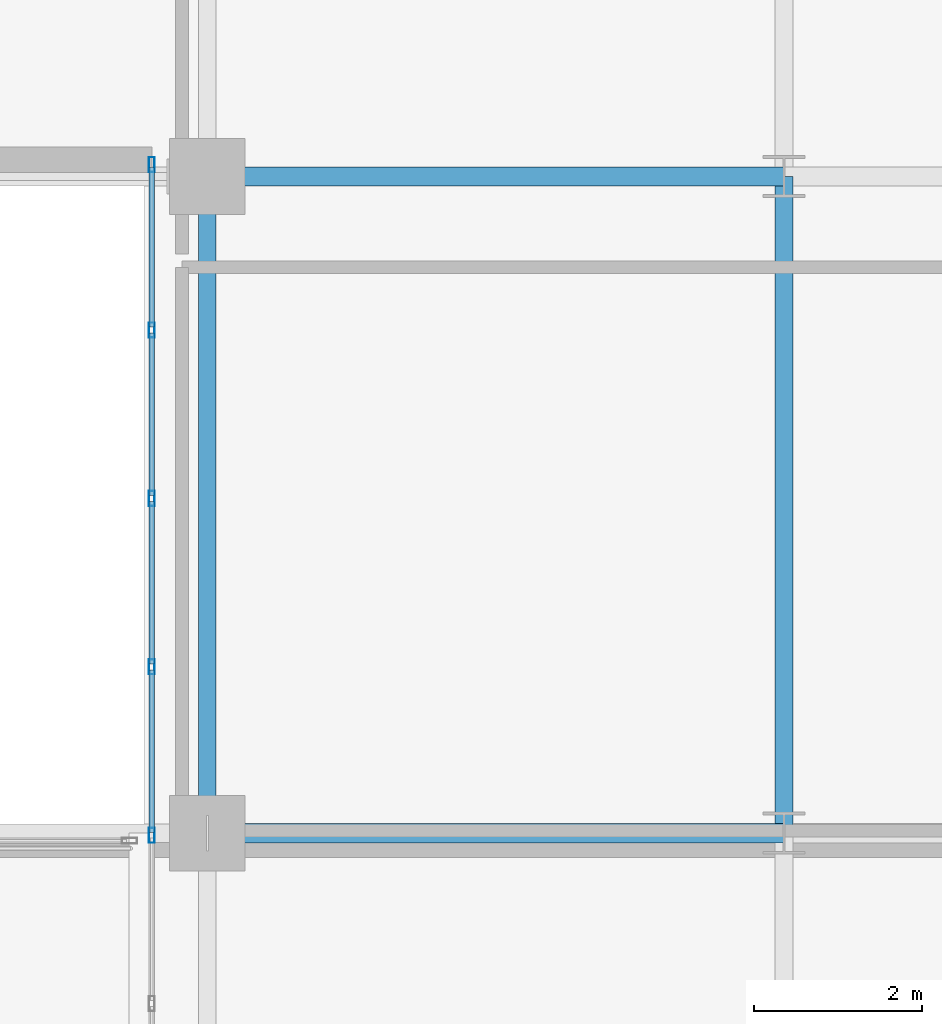
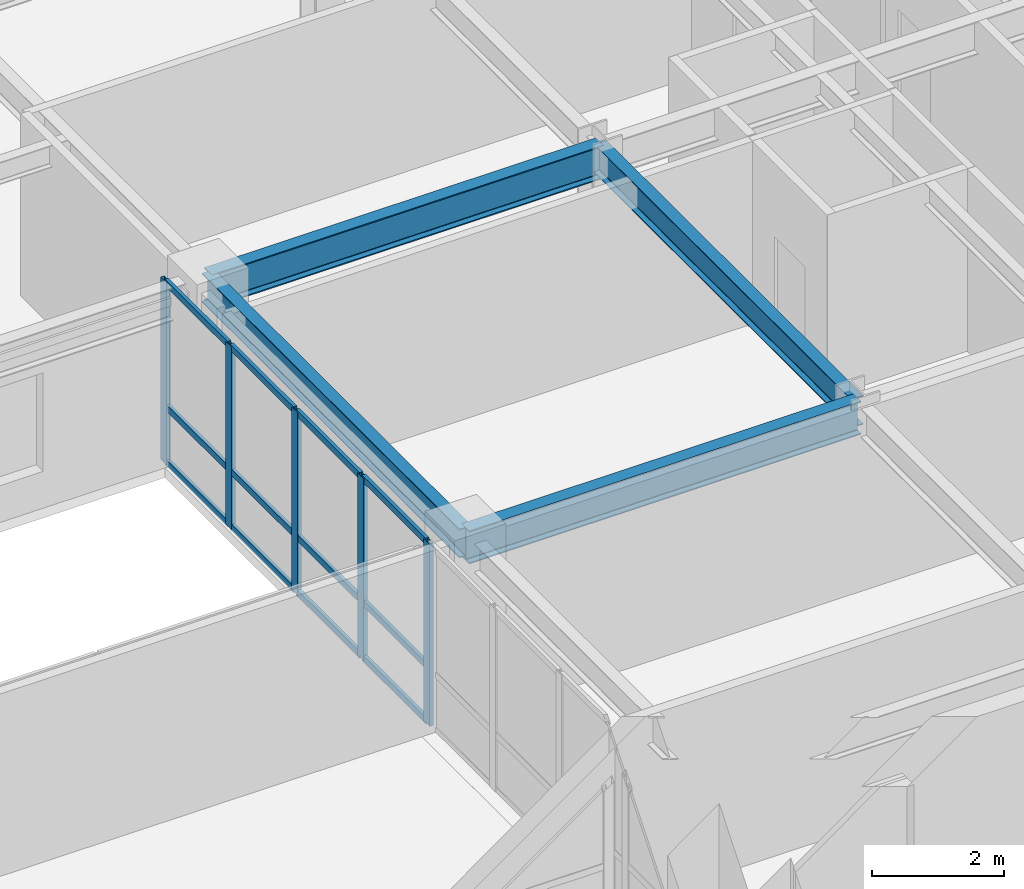
# One storey, part 7 of 25: 17 members, 4 beams, 1 element without a shape of its own.
"""IFC4 building model written with IfcOpenShell, lengths in metres."""

from ifc_helpers import new_model, si_unit, direction, frame, origin, origin_2d, place, context, subcontext, project, spatial, hollow_rectangle, i_section, extrude, source, transform, mapped, material, layer, layer_set, material_profile, profile_set, type_object, type_shapes, element, aggregate, save


model = new_model("IFC4")

# Units and contexts
model_context = context("Model", 3, precision=1e-05, world=origin(), true_north=direction((0.0, 1.0)))
body_context = subcontext(model_context, "Body", "Model", "MODEL_VIEW")
ifc_project = project(units=[si_unit("LENGTHUNIT", "METRE"), si_unit("AREAUNIT", "SQUARE_METRE"), si_unit("VOLUMEUNIT", "CUBIC_METRE"), si_unit("PLANEANGLEUNIT", "RADIAN"), si_unit("MASSUNIT", "GRAM", prefix="KILO")], contexts=[model_context])

# Site, building, storey
site_placement = place(None, origin())
site = spatial("IfcSite", under=ifc_project, at=site_placement, CompositionType="ELEMENT")
building_placement = place(site_placement, origin())
building = spatial("IfcBuilding", under=site, at=building_placement, Name="Tolvann Quenvar Hotel", CompositionType="ELEMENT")
storey_placement = place(building_placement, frame((0.0, 0.0, 78.14990234375)))
storey = spatial("IfcBuildingStorey", under=building, at=storey_placement, Name="L19", CompositionType="ELEMENT", Elevation=78.14990234375)

# Beams
ifc_material_1 = material(Name="Steel Grade 350", Category="steel")
ifc_material_profile_1 = material_profile(ifc_material_1, i_section(OverallWidth=0.22900390625, OverallDepth=0.612060546875, WebThickness=0.011962890625, FlangeThickness=0.01953125, FilletRadius=0.013916015625, at=origin_2d()), Name="610UB125")
ifc_profile_set_1 = profile_set([ifc_material_profile_1], Name="Steel Grade 350")
beam_type_1 = type_object("IfcBeamType", Name="BM_GIRD_610UB125", PredefinedType="BEAM", material=ifc_profile_set_1)
shared_shape_1 = source(origin(), body_context, "Body", "SweptSolid", [
    extrude(i_section(OverallWidth=0.22900390625, OverallDepth=0.612060546875, WebThickness=0.011962890625, FlangeThickness=0.01953125, FilletRadius=0.013916015625, at=origin_2d()), origin(), (0.0, 0.0, 1.0), 6.85009765625),
])
type_shapes(beam_type_1, [shared_shape_1])
for number, where, z_axis, x_axis, name in (
    (1, (34.949951171875, 8.199951171875, 3.064208984375), (1.0, 0.0, 0.0), (0.0, 1.0, 0.0), "BM-L19-EW-3-F3-H3"),
    (2, (34.949951171875, 16.0, 3.064208984375), (1.0, 0.0, 0.0), (0.0, 1.0, 0.0), "BM-L19-EW-4-F4-H4"),
):
    element("IfcBeam", number, at=place(storey_placement, frame(where, z_axis=z_axis, x_axis=x_axis)), inside=storey, type_object=beam_type_1, Name=name, PredefinedType="BEAM", context=body_context, shape_type="MappedRepresentation", body=[
        mapped(shared_shape_1, transform((0.0, 0.0, 0.0), x_axis=(1.0, 0.0, 0.0), y_axis=(0.0, 1.0, 0.0), z_axis=(0.0, 0.0, 1.0), scale=1.0)),
    ])
ifc_material_profile_2 = material_profile(ifc_material_1, i_section(OverallWidth=0.208984375, OverallDepth=0.532958984375, WebThickness=0.01025390625, FlangeThickness=0.015625, FilletRadius=0.013916015625, at=origin_2d()), Name="530UB92")
ifc_profile_set_2 = profile_set([ifc_material_profile_2], Name="Steel Grade 350")
beam_type_2 = type_object("IfcBeamType", Name="BM_GIRD_530UB92", PredefinedType="BEAM", material=ifc_profile_set_2)
shared_shape_2 = source(origin(), body_context, "Body", "SweptSolid", [
    extrude(i_section(OverallWidth=0.208984375, OverallDepth=0.532958984375, WebThickness=0.01025390625, FlangeThickness=0.015625, FilletRadius=0.013916015625, at=origin_2d()), origin(), (0.0, 0.0, 1.0), 7.800048828125),
])
type_shapes(beam_type_2, [shared_shape_2])
for number, where, z_axis, x_axis, name in (
    (3, (34.949951171875, 8.199951171875, 3.103515625), (0.0, 1.0, 0.0), (-1.0, 0.0, 0.0), "BM-L19-NS-F3-F4"),
    (4, (41.800048828125, 8.199951171875, 3.103515625), (0.0, 1.0, 0.0), (-1.0, 0.0, 0.0), "BM-L19-NS-H3-H4"),
):
    element("IfcBeam", number, at=place(storey_placement, frame(where, z_axis=z_axis, x_axis=x_axis)), inside=storey, type_object=beam_type_2, Name=name, PredefinedType="BEAM", context=body_context, shape_type="MappedRepresentation", body=[
        mapped(shared_shape_2, transform((0.0, 0.0, 0.0), x_axis=(1.0, 0.0, 0.0), y_axis=(0.0, 1.0, 0.0), z_axis=(0.0, 0.0, 1.0), scale=1.0)),
    ])

# Curtain wall, members
ifc_material_2 = material(Name="Thermally broken anodised architectural aluminium 6063-T6 and laminated low-E glass", Category="aluminium")
ifc_layer = layer(ifc_material_2, 0.179931640625)
ifc_layer_set = layer_set([ifc_layer], Name="Thermally broken anodised architectural aluminium 6063-T6 and laminated low-E glass")
curtain_wall_type = type_object("IfcCurtainWallType", Name="CW_SYS_SLOT_03", PredefinedType="USERDEFINED", material=ifc_layer_set)
curtain_wall_placement = place(storey_placement, origin())
curtain_wall = element("IfcCurtainWall", 5, at=curtain_wall_placement, inside=storey, type_object=curtain_wall_type, Name="Curtain Wall CW-SLOT-03 (CWR-L19-E07)", ObjectType="UNITISED CURTAIN WALL", PredefinedType="USERDEFINED")
ifc_material_3 = material(Name="Anodised architectural aluminium 6063-T6 framing", Category="aluminium")
ifc_material_profile_3 = material_profile(ifc_material_3, hollow_rectangle(XDim=0.070068359375, YDim=0.179931640625, WallThickness=0.00390625, at=origin_2d()), Name="180x70x4RHS")
ifc_profile_set_3 = profile_set([ifc_material_profile_3], Name="Anodised architectural aluminium 6063-T6 framing")
member_type_1 = type_object("IfcMemberType", Name="CW_MULL_180x70", PredefinedType="MULLION", material=ifc_profile_set_3)
shared_shape_3 = source(origin(), body_context, "Body", "SweptSolid", [
    extrude(hollow_rectangle(XDim=0.070068359375, YDim=0.179931640625, WallThickness=0.00390625, at=origin_2d()), origin(), (0.0, 0.0, 1.0), 3.3701171875),
])
type_shapes(member_type_1, [shared_shape_3])
member_1_placement = place(storey_placement, frame((34.2900390625, 16.139892578125, 0.0), z_axis=(0.0, 0.0, 1.0), x_axis=(1.0, 0.0, 0.0)))
member_1 = element("IfcMember", 6, at=member_1_placement, type_object=member_type_1, Name="CW-SLOT-03 mullion 1", PredefinedType="MULLION", context=body_context, shape_type="MappedRepresentation", body=[
    mapped(shared_shape_3, transform((0.0, 0.0, 0.0), x_axis=(1.0, 0.0, 0.0), y_axis=(0.0, 1.0, 0.0), z_axis=(0.0, 0.0, 1.0), scale=1.0)),
])
member_2_placement = place(storey_placement, frame((34.2900390625, 14.175048828125, 0.0), z_axis=(0.0, 0.0, 1.0), x_axis=(1.0, 0.0, 0.0)))
member_2 = element("IfcMember", 7, at=member_2_placement, type_object=member_type_1, Name="CW-SLOT-03 mullion 2", PredefinedType="MULLION", context=body_context, shape_type="MappedRepresentation", body=[
    mapped(shared_shape_3, transform((0.0, 0.0, 0.0), x_axis=(1.0, 0.0, 0.0), y_axis=(0.0, 1.0, 0.0), z_axis=(0.0, 0.0, 1.0), scale=1.0)),
])
member_3_placement = place(storey_placement, frame((34.2900390625, 12.175048828125, 0.0), z_axis=(0.0, 0.0, 1.0), x_axis=(1.0, 0.0, 0.0)))
member_3 = element("IfcMember", 8, at=member_3_placement, type_object=member_type_1, Name="CW-SLOT-03 mullion 3", PredefinedType="MULLION", context=body_context, shape_type="MappedRepresentation", body=[
    mapped(shared_shape_3, transform((0.0, 0.0, 0.0), x_axis=(1.0, 0.0, 0.0), y_axis=(0.0, 1.0, 0.0), z_axis=(0.0, 0.0, 1.0), scale=1.0)),
])
member_4_placement = place(storey_placement, frame((34.2900390625, 10.175048828125, 0.0), z_axis=(0.0, 0.0, 1.0), x_axis=(1.0, 0.0, 0.0)))
member_4 = element("IfcMember", 9, at=member_4_placement, type_object=member_type_1, Name="CW-SLOT-03 mullion 4", PredefinedType="MULLION", context=body_context, shape_type="MappedRepresentation", body=[
    mapped(shared_shape_3, transform((0.0, 0.0, 0.0), x_axis=(1.0, 0.0, 0.0), y_axis=(0.0, 1.0, 0.0), z_axis=(0.0, 0.0, 1.0), scale=1.0)),
])
member_5_placement = place(storey_placement, frame((34.2900390625, 8.175048828125, 0.0), z_axis=(0.0, 0.0, 1.0), x_axis=(1.0, 0.0, 0.0)))
member_5 = element("IfcMember", 10, at=member_5_placement, type_object=member_type_1, Name="CW-SLOT-03 mullion 5", PredefinedType="MULLION", context=body_context, shape_type="MappedRepresentation", body=[
    mapped(shared_shape_3, transform((0.0, 0.0, 0.0), x_axis=(1.0, 0.0, 0.0), y_axis=(0.0, 1.0, 0.0), z_axis=(0.0, 0.0, 1.0), scale=1.0)),
])
ifc_material_profile_4 = material_profile(ifc_material_3, hollow_rectangle(XDim=0.06005859375, YDim=0.1201171875, WallThickness=0.00341796875, at=origin_2d()), Name="120x60x3.5RHS")
ifc_profile_set_4 = profile_set([ifc_material_profile_4], Name="Anodised architectural aluminium 6063-T6 framing")
member_type_2 = type_object("IfcMemberType", Name="CW_TRAN_120x60", PredefinedType="USERDEFINED", material=ifc_profile_set_4)
shared_shape_4 = source(origin(), body_context, "Body", "SweptSolid", [
    extrude(hollow_rectangle(XDim=0.06005859375, YDim=0.1201171875, WallThickness=0.00341796875, at=origin_2d()), origin(), (0.0, 0.0, 1.0), 1.929931640625),
])
member_6_placement = place(storey_placement, frame((34.2900390625, 14.139892578125, 0.030029296875), z_axis=(0.0, -1.0, 0.0), x_axis=(1.0, 0.0, 0.0)))
member_6 = element("IfcMember", 11, at=member_6_placement, type_object=member_type_2, Name="CW-SLOT-03 transom 2.1", ObjectType="TRANSOM", PredefinedType="USERDEFINED", context=body_context, shape_type="MappedRepresentation", body=[
    mapped(shared_shape_4, transform((0.0, 0.0, 0.0), x_axis=(1.0, 0.0, 0.0), y_axis=(0.0, 1.0, 0.0), z_axis=(0.0, 0.0, 1.0), scale=1.0)),
])
member_7_placement = place(storey_placement, frame((34.2900390625, 14.139892578125, 1.050048828125), z_axis=(0.0, -1.0, 0.0), x_axis=(1.0, 0.0, 0.0)))
member_7 = element("IfcMember", 12, at=member_7_placement, type_object=member_type_2, Name="CW-SLOT-03 transom 2.2", ObjectType="TRANSOM", PredefinedType="USERDEFINED", context=body_context, shape_type="MappedRepresentation", body=[
    mapped(shared_shape_4, transform((0.0, 0.0, 0.0), x_axis=(1.0, 0.0, 0.0), y_axis=(0.0, 1.0, 0.0), z_axis=(0.0, 0.0, 1.0), scale=1.0)),
])
member_8_placement = place(storey_placement, frame((34.2900390625, 14.139892578125, 3.340087890625), z_axis=(0.0, -1.0, 0.0), x_axis=(1.0, 0.0, 0.0)))
member_8 = element("IfcMember", 13, at=member_8_placement, type_object=member_type_2, Name="CW-SLOT-03 transom 2.3", ObjectType="TRANSOM", PredefinedType="USERDEFINED", context=body_context, shape_type="MappedRepresentation", body=[
    mapped(shared_shape_4, transform((0.0, 0.0, 0.0), x_axis=(1.0, 0.0, 0.0), y_axis=(0.0, 1.0, 0.0), z_axis=(0.0, 0.0, 1.0), scale=1.0)),
])
member_9_placement = place(storey_placement, frame((34.2900390625, 12.139892578125, 0.030029296875), z_axis=(0.0, -1.0, 0.0), x_axis=(1.0, 0.0, 0.0)))
member_9 = element("IfcMember", 14, at=member_9_placement, type_object=member_type_2, Name="CW-SLOT-03 transom 3.1", ObjectType="TRANSOM", PredefinedType="USERDEFINED", context=body_context, shape_type="MappedRepresentation", body=[
    mapped(shared_shape_4, transform((0.0, 0.0, 0.0), x_axis=(1.0, 0.0, 0.0), y_axis=(0.0, 1.0, 0.0), z_axis=(0.0, 0.0, 1.0), scale=1.0)),
])
member_10_placement = place(storey_placement, frame((34.2900390625, 12.139892578125, 1.050048828125), z_axis=(0.0, -1.0, 0.0), x_axis=(1.0, 0.0, 0.0)))
member_10 = element("IfcMember", 15, at=member_10_placement, type_object=member_type_2, Name="CW-SLOT-03 transom 3.2", ObjectType="TRANSOM", PredefinedType="USERDEFINED", context=body_context, shape_type="MappedRepresentation", body=[
    mapped(shared_shape_4, transform((0.0, 0.0, 0.0), x_axis=(1.0, 0.0, 0.0), y_axis=(0.0, 1.0, 0.0), z_axis=(0.0, 0.0, 1.0), scale=1.0)),
])
member_11_placement = place(storey_placement, frame((34.2900390625, 12.139892578125, 3.340087890625), z_axis=(0.0, -1.0, 0.0), x_axis=(1.0, 0.0, 0.0)))
member_11 = element("IfcMember", 16, at=member_11_placement, type_object=member_type_2, Name="CW-SLOT-03 transom 3.3", ObjectType="TRANSOM", PredefinedType="USERDEFINED", context=body_context, shape_type="MappedRepresentation", body=[
    mapped(shared_shape_4, transform((0.0, 0.0, 0.0), x_axis=(1.0, 0.0, 0.0), y_axis=(0.0, 1.0, 0.0), z_axis=(0.0, 0.0, 1.0), scale=1.0)),
])
member_12_placement = place(storey_placement, frame((34.2900390625, 10.139892578125, 0.030029296875), z_axis=(0.0, -1.0, 0.0), x_axis=(1.0, 0.0, 0.0)))
member_12 = element("IfcMember", 17, at=member_12_placement, type_object=member_type_2, Name="CW-SLOT-03 transom 4.1", ObjectType="TRANSOM", PredefinedType="USERDEFINED", context=body_context, shape_type="MappedRepresentation", body=[
    mapped(shared_shape_4, transform((0.0, 0.0, 0.0), x_axis=(1.0, 0.0, 0.0), y_axis=(0.0, 1.0, 0.0), z_axis=(0.0, 0.0, 1.0), scale=1.0)),
])
member_13_placement = place(storey_placement, frame((34.2900390625, 10.139892578125, 1.050048828125), z_axis=(0.0, -1.0, 0.0), x_axis=(1.0, 0.0, 0.0)))
member_13 = element("IfcMember", 18, at=member_13_placement, type_object=member_type_2, Name="CW-SLOT-03 transom 4.2", ObjectType="TRANSOM", PredefinedType="USERDEFINED", context=body_context, shape_type="MappedRepresentation", body=[
    mapped(shared_shape_4, transform((0.0, 0.0, 0.0), x_axis=(1.0, 0.0, 0.0), y_axis=(0.0, 1.0, 0.0), z_axis=(0.0, 0.0, 1.0), scale=1.0)),
])
member_14_placement = place(storey_placement, frame((34.2900390625, 10.139892578125, 3.340087890625), z_axis=(0.0, -1.0, 0.0), x_axis=(1.0, 0.0, 0.0)))
member_14 = element("IfcMember", 19, at=member_14_placement, type_object=member_type_2, Name="CW-SLOT-03 transom 4.3", ObjectType="TRANSOM", PredefinedType="USERDEFINED", context=body_context, shape_type="MappedRepresentation", body=[
    mapped(shared_shape_4, transform((0.0, 0.0, 0.0), x_axis=(1.0, 0.0, 0.0), y_axis=(0.0, 1.0, 0.0), z_axis=(0.0, 0.0, 1.0), scale=1.0)),
])
shared_shape_5 = source(origin(), body_context, "Body", "SweptSolid", [
    extrude(hollow_rectangle(XDim=0.06005859375, YDim=0.1201171875, WallThickness=0.00341796875, at=origin_2d()), origin(), (0.0, 0.0, 1.0), 1.89501953125),
])
type_shapes(member_type_2, [shared_shape_4, shared_shape_5])
member_15_placement = place(storey_placement, frame((34.2900390625, 16.10498046875, 0.030029296875), z_axis=(0.0, -1.0, 0.0), x_axis=(1.0, 0.0, 0.0)))
member_15 = element("IfcMember", 20, at=member_15_placement, type_object=member_type_2, Name="CW-SLOT-03 transom 1.1", ObjectType="TRANSOM", PredefinedType="USERDEFINED", context=body_context, shape_type="MappedRepresentation", body=[
    mapped(shared_shape_5, transform((0.0, 0.0, 0.0), x_axis=(1.0, 0.0, 0.0), y_axis=(0.0, 1.0, 0.0), z_axis=(0.0, 0.0, 1.0), scale=1.0)),
])
member_16_placement = place(storey_placement, frame((34.2900390625, 16.10498046875, 1.050048828125), z_axis=(0.0, -1.0, 0.0), x_axis=(1.0, 0.0, 0.0)))
member_16 = element("IfcMember", 21, at=member_16_placement, type_object=member_type_2, Name="CW-SLOT-03 transom 1.2", ObjectType="TRANSOM", PredefinedType="USERDEFINED", context=body_context, shape_type="MappedRepresentation", body=[
    mapped(shared_shape_5, transform((0.0, 0.0, 0.0), x_axis=(1.0, 0.0, 0.0), y_axis=(0.0, 1.0, 0.0), z_axis=(0.0, 0.0, 1.0), scale=1.0)),
])
member_17_placement = place(storey_placement, frame((34.2900390625, 16.10498046875, 3.340087890625), z_axis=(0.0, -1.0, 0.0), x_axis=(1.0, 0.0, 0.0)))
member_17 = element("IfcMember", 22, at=member_17_placement, type_object=member_type_2, Name="CW-SLOT-03 transom 1.3", ObjectType="TRANSOM", PredefinedType="USERDEFINED", context=body_context, shape_type="MappedRepresentation", body=[
    mapped(shared_shape_5, transform((0.0, 0.0, 0.0), x_axis=(1.0, 0.0, 0.0), y_axis=(0.0, 1.0, 0.0), z_axis=(0.0, 0.0, 1.0), scale=1.0)),
])
aggregate(curtain_wall, [member_1, member_2, member_3, member_4, member_5, member_15, member_16, member_17, member_6, member_7, member_8, member_9, member_10, member_11, member_12, member_13, member_14])

save(model, "model.ifc")
